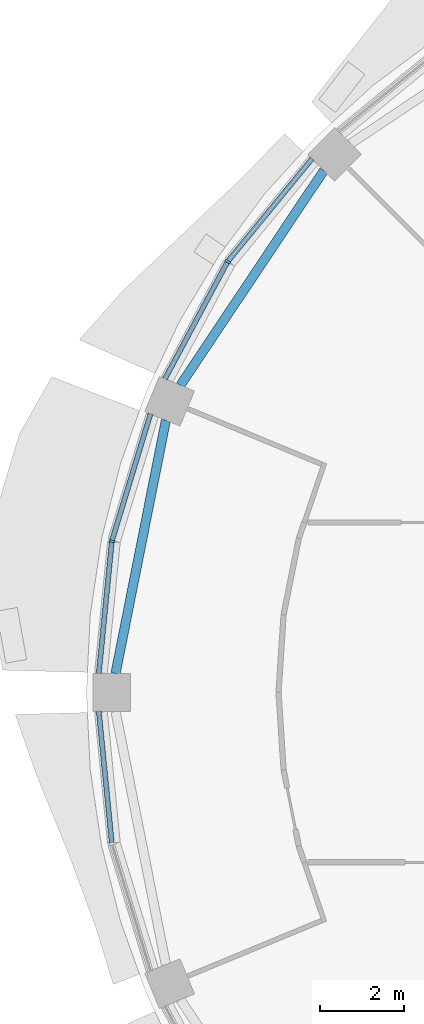
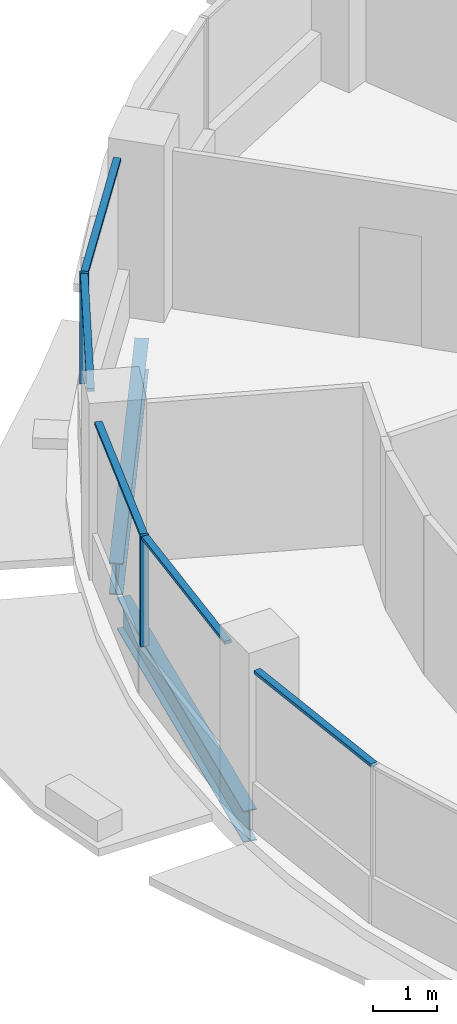
# One storey, part 4 of 15: 7 members, 2 beams, 3 elements without a shape of their own.
"""IFC4 building model written with IfcOpenShell, lengths in metres."""

from ifc_helpers import new_model, si_unit, direction, frame, origin, origin_2d, place, context, subcontext, project, spatial, rectangle, i_section, extrude, material, material_profile, profile_set, type_object, element, aggregate, save


model = new_model("IFC4")

# Units and contexts
model_context = context("Model", 3, precision=1e-05, world=origin(), true_north=direction((0.0, 1.0)))
body_context = subcontext(model_context, "Body", "Model", "MODEL_VIEW")
ifc_project = project(units=[si_unit("LENGTHUNIT", "METRE"), si_unit("AREAUNIT", "SQUARE_METRE"), si_unit("VOLUMEUNIT", "CUBIC_METRE"), si_unit("PLANEANGLEUNIT", "RADIAN"), si_unit("MASSUNIT", "GRAM", prefix="KILO")], contexts=[model_context])

# Site, building, storey
site_placement = place(None, origin())
site = spatial("IfcSite", under=ifc_project, at=site_placement, CompositionType="ELEMENT")
building_placement = place(site_placement, origin())
building = spatial("IfcBuilding", under=site, at=building_placement, Name="Polderwave Tower", CompositionType="ELEMENT")
storey_placement = place(building_placement, frame((0.0, 0.0, 177.60009765625)))
storey = spatial("IfcBuildingStorey", under=building, at=storey_placement, Name="L47", CompositionType="ELEMENT", Elevation=177.60009765625)

# Curtain wall, member
ifc_material_1 = material(Name="Aluminium 6063-T6 and glass", Category="aluminium")
curtain_wall_type = type_object("IfcCurtainWallType", Name="Office ribbon glazing wall", PredefinedType="NOTDEFINED", material=ifc_material_1)
curtain_wall_1_placement = place(storey_placement, origin())
curtain_wall_1 = element("IfcCurtainWall", 1, at=curtain_wall_1_placement, inside=storey, type_object=curtain_wall_type, Name="CW3 L47 06", PredefinedType="NOTDEFINED")
ifc_material_2 = material(Name="Aluminium 6063-T6", Category="aluminium")
ifc_material_profile_1 = material_profile(ifc_material_2, rectangle(XDim=0.139892578125, YDim=0.054931640625, at=origin_2d()), Name="AL 55x140")
ifc_profile_set_1 = profile_set([ifc_material_profile_1], Name="Aluminium 6063-T6")
member_type_1 = type_object("IfcMemberType", Name="Office ribbon glazing mullion 55x140", PredefinedType="MULLION", material=ifc_profile_set_1)
member_1_placement = place(storey_placement, frame((-15.27392578125, 10.2060546875, 0.89990234375), z_axis=(0.0, 0.0, 1.0), x_axis=(0.83138621278, -0.555695028949, 0.0)))
member_1 = element("IfcMember", 2, at=member_1_placement, type_object=member_type_1, Name="CW3 mullion 1", PredefinedType="MULLION", context=body_context, shape_type="SweptSolid", body=[
    extrude(rectangle(XDim=0.139892578125, YDim=0.054931640625, at=origin_2d()), origin(), (0.0, 0.0, 1.0), 2.10009765625),
])

curtain_wall_2_placement = place(storey_placement, origin())
curtain_wall_2 = element("IfcCurtainWall", 3, at=curtain_wall_2_placement, inside=storey, type_object=curtain_wall_type, Name="CW3 L47 07", PredefinedType="NOTDEFINED")
member_2_placement = place(storey_placement, frame((-18.01708984375, 3.583984375, 0.89990234375), z_axis=(0.0, 0.0, 1.0), x_axis=(0.980774723565, -0.195143387321, 0.0)))
member_2 = element("IfcMember", 4, at=member_2_placement, type_object=member_type_1, Name="CW3 mullion 1", PredefinedType="MULLION", context=body_context, shape_type="SweptSolid", body=[
    extrude(rectangle(XDim=0.139892578125, YDim=0.054931640625, at=origin_2d()), origin(), (0.0, 0.0, 1.0), 2.10009765625),
])

# Member
ifc_material_profile_2 = material_profile(ifc_material_2, rectangle(XDim=0.1201171875, YDim=0.06005859375, at=origin_2d()), Name="AL 60x120")
ifc_profile_set_2 = profile_set([ifc_material_profile_2], Name="Aluminium 6063-T6")
member_type_2 = type_object("IfcMemberType", Name="Office ribbon glazing transom 60x120", PredefinedType="USERDEFINED", material=ifc_profile_set_2)
member_3_placement = place(storey_placement, frame((-13.27587890625, 12.639892578125, 2.969970703125), z_axis=(-0.634535918475, -0.772893374383, 0.0), x_axis=(0.772893374383, -0.634535918475, 0.0)))
member_3 = element("IfcMember", 5, at=member_3_placement, type_object=member_type_2, Name="CW3 transom 1", ObjectType="TRANSOM", PredefinedType="USERDEFINED", context=body_context, shape_type="SweptSolid", body=[
    extrude(rectangle(XDim=0.1201171875, YDim=0.06005859375, at=origin_2d()), origin(), (0.0, 0.0, 1.0), 3.12158203125),
])

member_4_placement = place(storey_placement, frame((-15.287109375, 10.181640625, 2.969970703125), z_axis=(-0.471541933761, -0.881843639601, 0.0), x_axis=(0.881843639601, -0.471541933761, 0.0)))
member_4 = element("IfcMember", 6, at=member_4_placement, type_object=member_type_2, Name="CW3 transom 2", ObjectType="TRANSOM", PredefinedType="USERDEFINED", context=body_context, shape_type="SweptSolid", body=[
    extrude(rectangle(XDim=0.1201171875, YDim=0.06005859375, at=origin_2d()), origin(), (0.0, 0.0, 1.0), 3.12158203125),
])

aggregate(curtain_wall_1, [member_1, member_3, member_4])

member_5_placement = place(storey_placement, frame((-17.10302734375, 6.596923828125, 2.969970703125), z_axis=(-0.290296140087, -0.956936858445, 0.0), x_axis=(0.956936858445, -0.290296140087, 0.0)))
member_5 = element("IfcMember", 7, at=member_5_placement, type_object=member_type_2, Name="CW3 transom 1", ObjectType="TRANSOM", PredefinedType="USERDEFINED", context=body_context, shape_type="SweptSolid", body=[
    extrude(rectangle(XDim=0.1201171875, YDim=0.06005859375, at=origin_2d()), origin(), (0.0, 0.0, 1.0), 3.120849609375),
])

member_6_placement = place(storey_placement, frame((-18.019775390625, 3.556640625, 2.969970703125), z_axis=(-0.098071118168, -0.995179408841, 0.0), x_axis=(0.995179408841, -0.098071118168, 0.0)))
member_6 = element("IfcMember", 8, at=member_6_placement, type_object=member_type_2, Name="CW3 transom 2", ObjectType="TRANSOM", PredefinedType="USERDEFINED", context=body_context, shape_type="SweptSolid", body=[
    extrude(rectangle(XDim=0.1201171875, YDim=0.06005859375, at=origin_2d()), origin(), (0.0, 0.0, 1.0), 3.121826171875),
])

aggregate(curtain_wall_2, [member_2, member_5, member_6])

# Curtain wall, member
curtain_wall_3_placement = place(storey_placement, origin())
curtain_wall_3 = element("IfcCurtainWall", 9, at=curtain_wall_3_placement, inside=storey, type_object=curtain_wall_type, Name="CW3 L47 08", PredefinedType="NOTDEFINED")
member_7_placement = place(storey_placement, frame((-18.325927734375, -0.449951171875, 2.969970703125), z_axis=(0.098071118168, -0.995179408841, 0.0), x_axis=(0.995179408841, 0.098071118168, 0.0)))
member_7 = element("IfcMember", 10, at=member_7_placement, type_object=member_type_2, Name="CW3 transom 1", ObjectType="TRANSOM", PredefinedType="USERDEFINED", context=body_context, shape_type="SweptSolid", body=[
    extrude(rectangle(XDim=0.1201171875, YDim=0.06005859375, at=origin_2d()), origin(), (0.0, 0.0, 1.0), 3.121826171875),
])
aggregate(curtain_wall_3, [member_7])

# Beams
ifc_material_3 = material(Name="Steel S355", Category="steel")
ifc_material_profile_3 = material_profile(ifc_material_3, i_section(OverallWidth=0.219970703125, OverallDepth=0.60009765625, WebThickness=0.011962890625, FlangeThickness=0.01904296875, at=origin_2d()), Name="IPE 600")
ifc_profile_set_3 = profile_set([ifc_material_profile_3], Name="Steel S355")
beam_type = type_object("IfcBeamType", Name="RING BEAM IPE 600", PredefinedType="BEAM", material=ifc_profile_set_3)
for number, where, z_axis, x_axis, name in (
    (11, (-12.9970703125, 12.360595703125, -0.650146484375), (-0.555538553645, -0.831490778911, 0.0), (0.831490778911, -0.555538553645, 0.0), "ST-RB-L47-06"),
    (12, (-16.73779296875, 6.446044921875, -0.650146484375), (-0.195079268525, -0.980787479014, 0.0), (0.980787479014, -0.195079268525, 0.0), "ST-RB-L47-07"),
):
    element("IfcBeam", number, at=place(storey_placement, frame(where, z_axis=z_axis, x_axis=x_axis)), inside=storey, type_object=beam_type, Name=name, PredefinedType="BEAM", context=body_context, shape_type="SweptSolid", body=[
        extrude(i_section(OverallWidth=0.219970703125, OverallDepth=0.60009765625, WebThickness=0.011962890625, FlangeThickness=0.01904296875, at=origin_2d()), origin(), (0.0, 0.0, 1.0), 6.113525390625),
    ])

save(model, "model.ifc")
